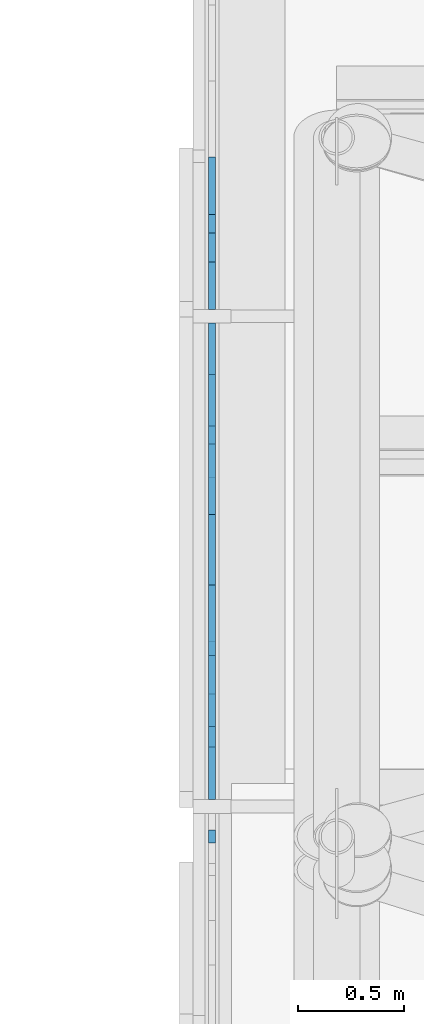
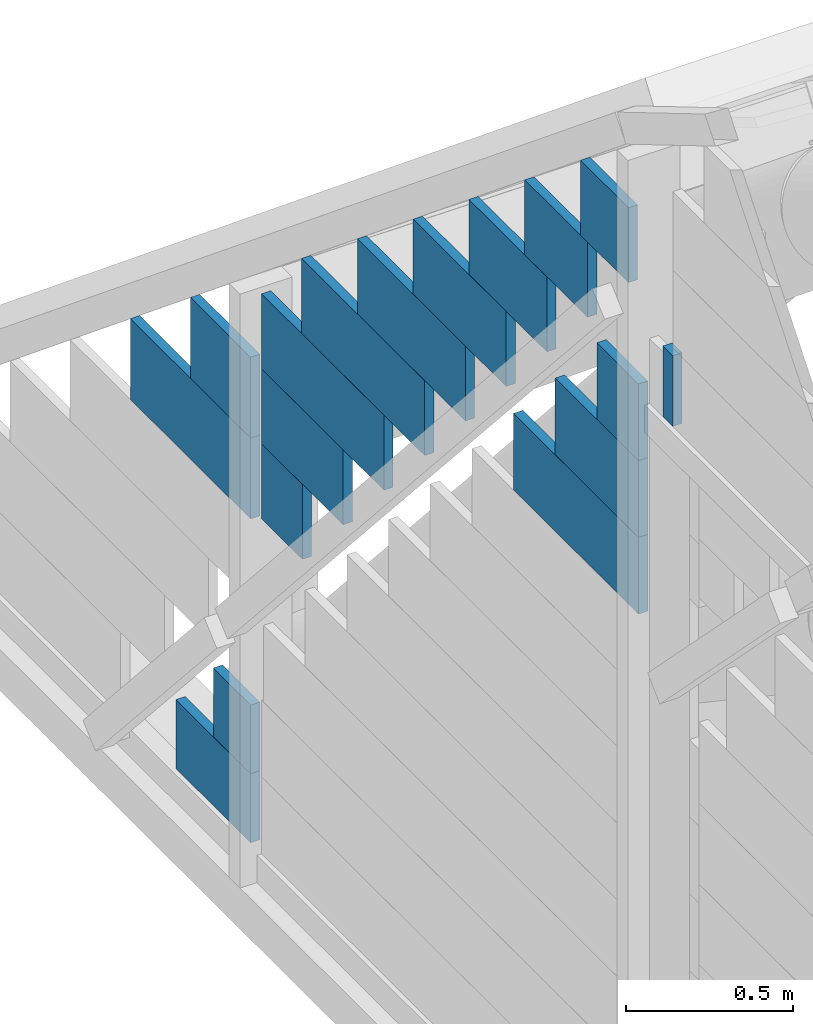
# One storey, part 74 of 110: 17 plates, 1 element without a shape of its own.
"""IFC4 building model written with IfcOpenShell, lengths in metres."""

from ifc_helpers import new_model, si_unit, direction, frame, origin, place, context, subcontext, project, spatial, polyline, outline, extrude, material, layer, layer_set, type_object, element, aggregate, save


model = new_model("IFC4")

# Units and contexts
model_context = context("Model", 3, precision=1e-05, world=origin(), true_north=direction((0.0, 1.0)))
body_context = subcontext(model_context, "Body", "Model", "MODEL_VIEW")
ifc_project = project(units=[si_unit("LENGTHUNIT", "METRE"), si_unit("AREAUNIT", "SQUARE_METRE"), si_unit("VOLUMEUNIT", "CUBIC_METRE"), si_unit("PLANEANGLEUNIT", "RADIAN"), si_unit("MASSUNIT", "GRAM", prefix="KILO")], contexts=[model_context])

# Site, building, storey
site_placement = place(None, origin())
site = spatial("IfcSite", under=ifc_project, at=site_placement, CompositionType="ELEMENT")
building_placement = place(site_placement, origin())
building = spatial("IfcBuilding", under=site, at=building_placement, Name="Windward Yard Aquatics Centre", CompositionType="ELEMENT")
storey_placement = place(building_placement, frame((0.0, 0.0, 22.60009765625)))
storey = spatial("IfcBuildingStorey", under=building, at=storey_placement, Name="L05", CompositionType="ELEMENT", Elevation=22.60009765625)

# Curtain wall, plates
ifc_material_1 = material(Name="Glass and aluminium curtain wall", Category="aluminium")
ifc_layer_1 = layer(ifc_material_1, 0.179931640625)
ifc_layer_set_1 = layer_set([ifc_layer_1], Name="H gable glazing system double glazed 8+16+8")
curtain_wall_type = type_object("IfcCurtainWallType", Name="H gable glazing system double glazed 8+16+8", PredefinedType="NOTDEFINED", material=ifc_layer_set_1)
curtain_wall_placement = place(storey_placement, origin())
curtain_wall = element("IfcCurtainWall", 1, at=curtain_wall_placement, inside=storey, type_object=curtain_wall_type, Name="Gable glazing W", PredefinedType="NOTDEFINED")
ifc_material_2 = material(Name="Low-iron glass", Category="glass")
ifc_layer_2 = layer(ifc_material_2, 0.008, Name="Outer pane")
ifc_material_3 = material(Name="Argon-filled cavity")
ifc_layer_3 = layer(ifc_material_3, 0.016, Name="Cavity")
ifc_layer_4 = layer(ifc_material_2, 0.008, Name="Inner pane")
ifc_layer_set_2 = layer_set([ifc_layer_2, ifc_layer_3, ifc_layer_4], Name="H gable glass low-e double glazed unit 32")
plate_type = type_object("IfcPlateType", Name="H gable glass low-e double glazed unit 32", PredefinedType="CURTAIN_PANEL", material=ifc_layer_set_2)
plate_1_placement = place(storey_placement, frame((59.426025390625, 77.0625, 3.14990234375), z_axis=(1.0, 0.0, 0.0), x_axis=(0.0, 1.0, 0.0)))
plate_1 = element("IfcPlate", 2, at=plate_1_placement, type_object=plate_type, Name="Gable panel 16.2e", PredefinedType="CURTAIN_PANEL", context=body_context, shape_type="SweptSolid", body=[
    extrude(outline(polyline([(0.0, 0.0), (0.059814, 0.0), (0.059814, 0.258057), (0.0, 0.258057), (0.0, 0.0)])), origin(), (0.0, 0.0, -1.0), 0.031982421875),
])
plate_2_placement = place(storey_placement, frame((59.426025390625, 77.26708984375, 2.341064453125), z_axis=(1.0, 0.0, 0.0), x_axis=(0.0, 1.0, 0.0)))
plate_2 = element("IfcPlate", 3, at=plate_2_placement, type_object=plate_type, Name="Gable panel 17.1i", PredefinedType="CURTAIN_PANEL", context=body_context, shape_type="SweptSolid", body=[
    extrude(outline(polyline([(0.0, 0.0), (0.747803, 0.0), (0.747803, 0.279541), (0.0, 0.279541), (0.0, 0.0)])), origin(), (0.0, 0.0, -1.0), 0.031982421875),
])
plate_3_placement = place(storey_placement, frame((59.426025390625, 77.26708984375, 2.62109375), z_axis=(1.0, 0.0, 0.0), x_axis=(0.0, 1.0, 0.0)))
plate_3 = element("IfcPlate", 4, at=plate_3_placement, type_object=plate_type, Name="Gable panel 17.1j", PredefinedType="CURTAIN_PANEL", context=body_context, shape_type="SweptSolid", body=[
    extrude(outline(polyline([(0.0, 0.0), (0.498535, 0.0), (0.498535, 0.279785), (0.0, 0.279785), (0.0, 0.0)])), origin(), (0.0, 0.0, -1.0), 0.031982421875),
])
plate_4_placement = place(storey_placement, frame((59.426025390625, 77.26708984375, 2.901123046875), z_axis=(1.0, 0.0, 0.0), x_axis=(0.0, 1.0, 0.0)))
plate_4 = element("IfcPlate", 5, at=plate_4_placement, type_object=plate_type, Name="Gable panel 17.1k", PredefinedType="CURTAIN_PANEL", context=body_context, shape_type="SweptSolid", body=[
    extrude(outline(polyline([(0.0, 0.0), (0.249512, 0.0), (0.249512, 0.279785), (0.0, 0.279785), (0.0, 0.0)])), origin(), (0.0, 0.0, -1.0), 0.031982421875),
])
plate_5_placement = place(storey_placement, frame((59.426025390625, 79.27734375, 1.322021484375), z_axis=(1.0, 0.0, 0.0), x_axis=(0.0, 1.0, 0.0)))
plate_5 = element("IfcPlate", 6, at=plate_5_placement, type_object=plate_type, Name="Gable panel 17.1l", PredefinedType="CURTAIN_PANEL", context=body_context, shape_type="SweptSolid", body=[
    extrude(outline(polyline([(0.0, 0.0), (0.244141, 0.0), (0.244141, 0.273438), (0.0, 0.273438), (0.0, 0.0)])), origin(), (0.0, 0.0, -1.0), 0.031982421875),
])
plate_6_placement = place(storey_placement, frame((59.426025390625, 79.03369140625, 1.595947265625), z_axis=(1.0, 0.0, 0.0), x_axis=(0.0, 1.0, 0.0)))
plate_6 = element("IfcPlate", 7, at=plate_6_placement, type_object=plate_type, Name="Gable panel 17.1m", PredefinedType="CURTAIN_PANEL", context=body_context, shape_type="SweptSolid", body=[
    extrude(outline(polyline([(0.0, 0.0), (0.487793, 0.0), (0.487793, 0.273682), (0.0, 0.273682), (0.0, 0.0)])), origin(), (0.0, 0.0, -1.0), 0.031982421875),
])
plate_7_placement = place(storey_placement, frame((59.426025390625, 78.789794921875, 1.869873046875), z_axis=(1.0, 0.0, 0.0), x_axis=(0.0, 1.0, 0.0)))
plate_7 = element("IfcPlate", 8, at=plate_7_placement, type_object=plate_type, Name="Gable panel 17.1n", PredefinedType="CURTAIN_PANEL", context=body_context, shape_type="SweptSolid", body=[
    extrude(outline(polyline([(0.0, 0.0), (0.731689, 0.0), (0.731689, 0.273682), (0.0, 0.273682), (0.0, 0.0)])), origin(), (0.0, 0.0, -1.0), 0.031982421875),
])
plate_8_placement = place(storey_placement, frame((59.426025390625, 78.546142578125, 2.14404296875), z_axis=(1.0, 0.0, 0.0), x_axis=(0.0, 1.0, 0.0)))
plate_8 = element("IfcPlate", 9, at=plate_8_placement, type_object=plate_type, Name="Gable panel 17.1o", PredefinedType="CURTAIN_PANEL", context=body_context, shape_type="SweptSolid", body=[
    extrude(outline(polyline([(0.0, 0.0), (0.736084, 0.0), (0.736084, 0.273438), (0.0, 0.273438), (0.0, 0.0)])), origin(), (0.0, 0.0, -1.0), 0.031982421875),
])
plate_9_placement = place(storey_placement, frame((59.426025390625, 78.302490234375, 2.41796875), z_axis=(1.0, 0.0, 0.0), x_axis=(0.0, 1.0, 0.0)))
plate_9 = element("IfcPlate", 10, at=plate_9_placement, type_object=plate_type, Name="Gable panel 17.1p", PredefinedType="CURTAIN_PANEL", context=body_context, shape_type="SweptSolid", body=[
    extrude(outline(polyline([(0.0, 0.0), (0.64624, 0.0), (0.64624, 0.273682), (0.0, 0.273682), (0.0, 0.0)])), origin(), (0.0, 0.0, -1.0), 0.031982421875),
])
plate_10_placement = place(storey_placement, frame((59.426025390625, 78.05859375, 2.69189453125), z_axis=(1.0, 0.0, 0.0), x_axis=(0.0, 1.0, 0.0)))
plate_10 = element("IfcPlate", 11, at=plate_10_placement, type_object=plate_type, Name="Gable panel 17.1q", PredefinedType="CURTAIN_PANEL", context=body_context, shape_type="SweptSolid", body=[
    extrude(outline(polyline([(0.0, 0.0), (0.556396, 0.0), (0.556396, 0.273682), (0.0, 0.273682), (0.0, 0.0)])), origin(), (0.0, 0.0, -1.0), 0.031982421875),
])
plate_11_placement = place(storey_placement, frame((59.426025390625, 77.81494140625, 2.966064453125), z_axis=(1.0, 0.0, 0.0), x_axis=(0.0, 1.0, 0.0)))
plate_11 = element("IfcPlate", 12, at=plate_11_placement, type_object=plate_type, Name="Gable panel 17.1r", PredefinedType="CURTAIN_PANEL", context=body_context, shape_type="SweptSolid", body=[
    extrude(outline(polyline([(0.0, 0.0), (0.466553, 0.0), (0.466553, 0.273438), (0.0, 0.273438), (0.0, 0.0)])), origin(), (0.0, 0.0, -1.0), 0.031982421875),
])
plate_12_placement = place(storey_placement, frame((59.426025390625, 77.571044921875, 3.239990234375), z_axis=(1.0, 0.0, 0.0), x_axis=(0.0, 1.0, 0.0)))
plate_12 = element("IfcPlate", 13, at=plate_12_placement, type_object=plate_type, Name="Gable panel 17.1s", PredefinedType="CURTAIN_PANEL", context=body_context, shape_type="SweptSolid", body=[
    extrude(outline(polyline([(0.0, 0.0), (0.376709, 0.0), (0.376709, 0.273682), (0.0, 0.273682), (0.0, 0.0)])), origin(), (0.0, 0.0, -1.0), 0.031982421875),
])
plate_13_placement = place(storey_placement, frame((59.426025390625, 77.327392578125, 3.513916015625), z_axis=(1.0, 0.0, 0.0), x_axis=(0.0, 1.0, 0.0)))
plate_13 = element("IfcPlate", 14, at=plate_13_placement, type_object=plate_type, Name="Gable panel 17.1t", PredefinedType="CURTAIN_PANEL", context=body_context, shape_type="SweptSolid", body=[
    extrude(outline(polyline([(0.0, 0.0), (0.286621, 0.0), (0.286621, 0.273682), (0.0, 0.273682), (0.0, 0.0)])), origin(), (0.0, 0.0, -1.0), 0.031982421875),
])
plate_14_placement = place(storey_placement, frame((59.426025390625, 79.58642578125, 0.099853515625), z_axis=(1.0, 0.0, 0.0), x_axis=(0.0, 1.0, 0.0)))
plate_14 = element("IfcPlate", 15, at=plate_14_placement, type_object=plate_type, Name="Gable panel 18.1a", PredefinedType="CURTAIN_PANEL", context=body_context, shape_type="SweptSolid", body=[
    extrude(outline(polyline([(0.0, 0.0), (0.44751, 0.0), (0.44751, 0.251221), (0.0, 0.251221), (0.0, 0.0)])), origin(), (0.0, 0.0, -1.0), 0.031982421875),
])
plate_15_placement = place(storey_placement, frame((59.426025390625, 79.58642578125, 0.3515625), z_axis=(1.0, 0.0, 0.0), x_axis=(0.0, 1.0, 0.0)))
plate_15 = element("IfcPlate", 16, at=plate_15_placement, type_object=plate_type, Name="Gable panel 18.1b", PredefinedType="CURTAIN_PANEL", context=body_context, shape_type="SweptSolid", body=[
    extrude(outline(polyline([(0.0, 0.0), (0.223877, 0.0), (0.223877, 0.250977), (0.0, 0.250977), (0.0, 0.0)])), origin(), (0.0, 0.0, -1.0), 0.031982421875),
])
plate_16_placement = place(storey_placement, frame((59.426025390625, 79.58642578125, 1.28173828125), z_axis=(1.0, 0.0, 0.0), x_axis=(0.0, 1.0, 0.0)))
plate_16 = element("IfcPlate", 17, at=plate_16_placement, type_object=plate_type, Name="Gable panel 18.1g", PredefinedType="CURTAIN_PANEL", context=body_context, shape_type="SweptSolid", body=[
    extrude(outline(polyline([(0.0, 0.0), (0.719727, 0.0), (0.719727, 0.295166), (0.0, 0.295166), (0.0, 0.0)])), origin(), (0.0, 0.0, -1.0), 0.031982421875),
])
plate_17_placement = place(storey_placement, frame((59.426025390625, 79.58642578125, 1.5771484375), z_axis=(1.0, 0.0, 0.0), x_axis=(0.0, 1.0, 0.0)))
plate_17 = element("IfcPlate", 18, at=plate_17_placement, type_object=plate_type, Name="Gable panel 18.1h", PredefinedType="CURTAIN_PANEL", context=body_context, shape_type="SweptSolid", body=[
    extrude(outline(polyline([(0.0, 0.0), (0.359863, 0.0), (0.359863, 0.295166), (0.0, 0.295166), (0.0, 0.0)])), origin(), (0.0, 0.0, -1.0), 0.031982421875),
])
aggregate(curtain_wall, [plate_1, plate_2, plate_3, plate_4, plate_5, plate_6, plate_7, plate_8, plate_9, plate_10, plate_11, plate_12, plate_13, plate_14, plate_15, plate_16, plate_17])

save(model, "model.ifc")
